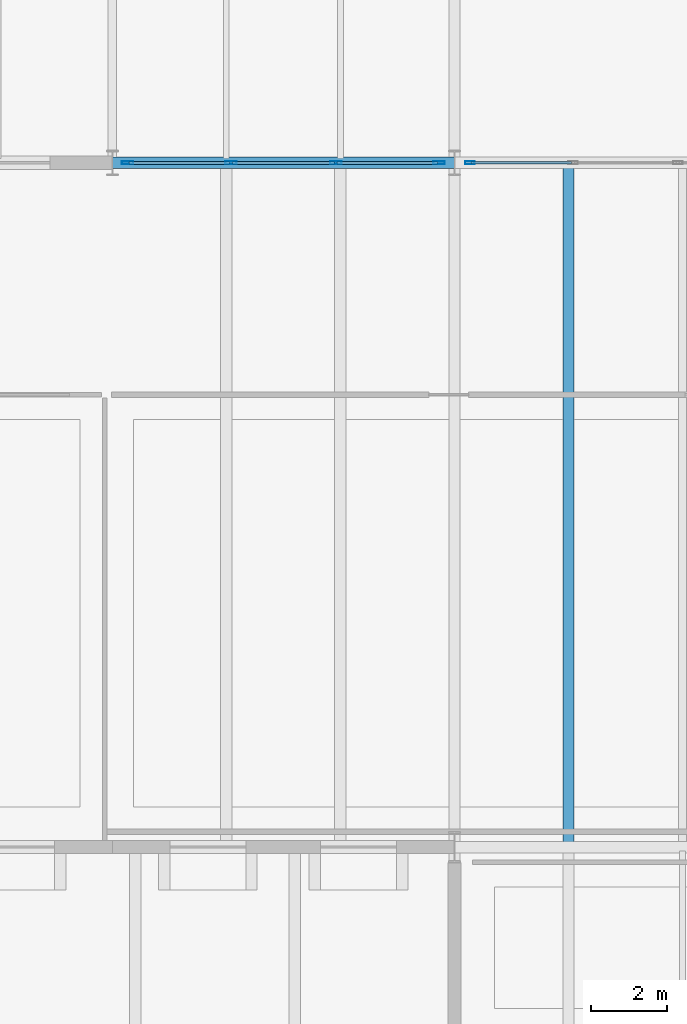
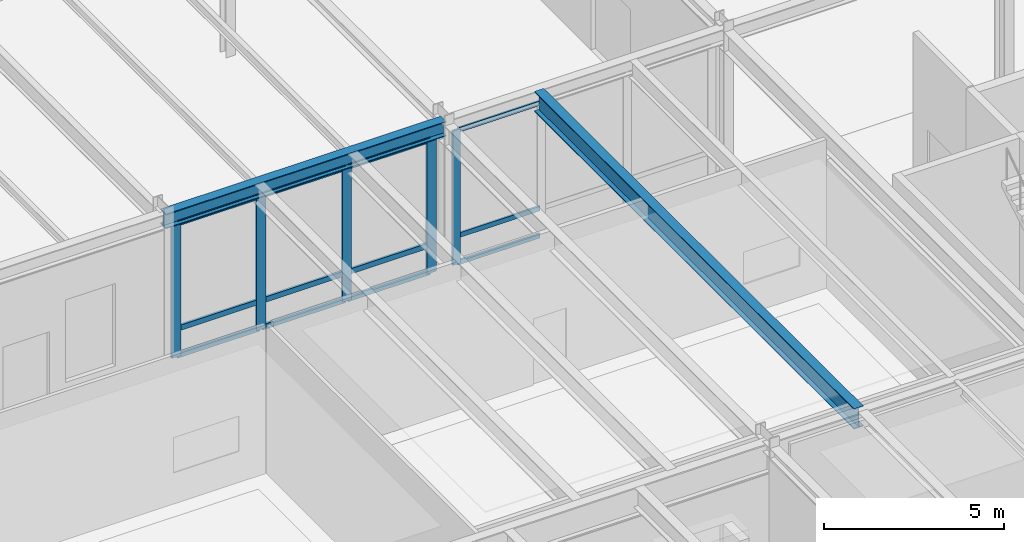
# One storey, part 25 of 143: 17 members, 2 beams, 2 elements without a shape of their own.
"""IFC4 building model written with IfcOpenShell, lengths in metres."""

from ifc_helpers import new_model, si_unit, direction, frame, origin, origin_2d, place, context, subcontext, project, spatial, hollow_rectangle, i_section, extrude, material, layer, layer_set, material_profile, profile_set, type_object, element, aggregate, save


model = new_model("IFC4")

# Units and contexts
model_context = context("Model", 3, precision=1e-05, world=origin(), true_north=direction((0.0, 1.0)))
body_context = subcontext(model_context, "Body", "Model", "MODEL_VIEW")
ifc_project = project(units=[si_unit("LENGTHUNIT", "METRE"), si_unit("AREAUNIT", "SQUARE_METRE"), si_unit("VOLUMEUNIT", "CUBIC_METRE"), si_unit("PLANEANGLEUNIT", "RADIAN"), si_unit("MASSUNIT", "GRAM", prefix="KILO")], contexts=[model_context])

# Site, building, storey
site_placement = place(None, origin())
site = spatial("IfcSite", under=ifc_project, at=site_placement, CompositionType="ELEMENT")
building_placement = place(site_placement, origin())
building = spatial("IfcBuilding", under=site, at=building_placement, Name="Montelvaro Courts of Justice", CompositionType="ELEMENT")
storey_placement = place(building_placement, origin())
storey = spatial("IfcBuildingStorey", under=building, at=storey_placement, Name="L00", CompositionType="ELEMENT", Elevation=0.0)

# Beams
ifc_material_1 = material(Name="Steel S355", Category="steel")
ifc_material_profile_1 = material_profile(ifc_material_1, i_section(OverallWidth=0.300048828125, OverallDepth=0.68994140625, WebThickness=0.014404296875, FlangeThickness=0.027099609375, at=origin_2d()), Name="HEA 700")
ifc_profile_set_1 = profile_set([ifc_material_profile_1], Name="Steel S355")
beam_type_1 = type_object("IfcBeamType", Name="Beam_HEA700", PredefinedType="USERDEFINED", material=ifc_profile_set_1)
beam_1_placement = place(storey_placement, frame((48.0, 24.110107421875, 4.715087890625), z_axis=(0.0, 1.0, 0.0), x_axis=(-1.0, 0.0, 0.0)))
element("IfcBeam", 1, at=beam_1_placement, inside=storey, type_object=beam_type_1, Name="Beam B-23 L00", ObjectType="GIRDER", PredefinedType="USERDEFINED", context=body_context, shape_type="SweptSolid", body=[
    extrude(i_section(OverallWidth=0.300048828125, OverallDepth=0.68994140625, WebThickness=0.014404296875, FlangeThickness=0.027099609375, at=origin_2d()), origin(), (0.0, 0.0, 1.0), 17.77978515625),
])
ifc_material_profile_2 = material_profile(ifc_material_1, i_section(OverallWidth=0.300048828125, OverallDepth=0.5, WebThickness=0.014404296875, FlangeThickness=0.028076171875, at=origin_2d()), Name="HEB 500")
ifc_profile_set_2 = profile_set([ifc_material_profile_2], Name="Steel S355")
beam_type_2 = type_object("IfcBeamType", Name="Beam_HEB500", PredefinedType="USERDEFINED", material=ifc_profile_set_2)
beam_2_placement = place(storey_placement, frame((36.0, 42.0, 4.81005859375), z_axis=(1.0, 0.0, 0.0), x_axis=(0.0, 1.0, 0.0)))
element("IfcBeam", 2, at=beam_2_placement, inside=storey, type_object=beam_type_2, Name="Beam B-25 L00", ObjectType="GIRDER", PredefinedType="USERDEFINED", context=body_context, shape_type="SweptSolid", body=[
    extrude(i_section(OverallWidth=0.300048828125, OverallDepth=0.5, WebThickness=0.014404296875, FlangeThickness=0.028076171875, at=origin_2d()), origin(), (0.0, 0.0, 1.0), 9.0),
])

# Curtain wall, member
ifc_material_2 = material(Name="Anodised aluminium EN AW-6063", Category="aluminium")
ifc_layer = layer(ifc_material_2, 0.159912109375)
ifc_layer_set = layer_set([ifc_layer], Name="Anodised aluminium EN AW-6063")
curtain_wall_type = type_object("IfcCurtainWallType", Name="CurtainWall_01_827x508", PredefinedType="USERDEFINED", material=ifc_layer_set)
curtain_wall_1_placement = place(storey_placement, origin())
curtain_wall_1 = element("IfcCurtainWall", 3, at=curtain_wall_1_placement, inside=storey, type_object=curtain_wall_type, Name="Curtain Wall CW-01 (L00)", ObjectType="CURTAIN WALL", PredefinedType="USERDEFINED")
ifc_material_profile_3 = material_profile(ifc_material_2, hollow_rectangle(XDim=0.074951171875, YDim=0.25, WallThickness=0.005615234375, at=origin_2d()), Name="ALU-M 75x250")
ifc_profile_set_3 = profile_set([ifc_material_profile_3], Name="Anodised aluminium EN AW-6063")
member_type_1 = type_object("IfcMemberType", Name="CurtainWall_Mullion_75x250", PredefinedType="MULLION", material=ifc_profile_set_3)
member_1_placement = place(storey_placement, frame((45.402587890625, 42.0, 0.0), z_axis=(0.0, 0.0, 1.0), x_axis=(0.0, -1.0, 0.0)))
member_1 = element("IfcMember", 4, at=member_1_placement, type_object=member_type_1, Name="CW-01 mullion 4", PredefinedType="MULLION", context=body_context, shape_type="SweptSolid", body=[
    extrude(hollow_rectangle(XDim=0.074951171875, YDim=0.25, WallThickness=0.005615234375, at=origin_2d()), origin(), (0.0, 0.0, 1.0), 4.554931640625),
])

# Curtain wall, members
curtain_wall_2_placement = place(storey_placement, origin())
curtain_wall_2 = element("IfcCurtainWall", 5, at=curtain_wall_2_placement, inside=storey, type_object=curtain_wall_type, Name="Curtain Wall CW-01 (L00)", ObjectType="CURTAIN WALL", PredefinedType="USERDEFINED")
ifc_material_profile_4 = material_profile(ifc_material_2, hollow_rectangle(XDim=0.074951171875, YDim=0.300048828125, WallThickness=0.006103515625, at=origin_2d()), Name="ALU-M 75x300")
ifc_profile_set_4 = profile_set([ifc_material_profile_4], Name="Anodised aluminium EN AW-6063")
member_type_2 = type_object("IfcMemberType", Name="CurtainWall_Mullion_75x300", PredefinedType="MULLION", material=ifc_profile_set_4)
member_2_placement = place(storey_placement, frame((44.597412109375, 42.0, 0.0), z_axis=(0.0, 0.0, 1.0), x_axis=(0.0, -1.0, 0.0)))
member_2 = element("IfcMember", 6, at=member_2_placement, type_object=member_type_2, Name="CW-01 mullion 1", PredefinedType="MULLION", context=body_context, shape_type="SweptSolid", body=[
    extrude(hollow_rectangle(XDim=0.074951171875, YDim=0.300048828125, WallThickness=0.006103515625, at=origin_2d()), origin(), (0.0, 0.0, 1.0), 4.554931640625),
])
member_3_placement = place(storey_placement, frame((41.87841796875, 42.0, 0.0), z_axis=(0.0, 0.0, 1.0), x_axis=(0.0, -1.0, 0.0)))
member_3 = element("IfcMember", 7, at=member_3_placement, type_object=member_type_2, Name="CW-01 mullion 2", PredefinedType="MULLION", context=body_context, shape_type="SweptSolid", body=[
    extrude(hollow_rectangle(XDim=0.074951171875, YDim=0.300048828125, WallThickness=0.006103515625, at=origin_2d()), origin(), (0.0, 0.0, 1.0), 4.554931640625),
])
member_4_placement = place(storey_placement, frame((39.12158203125, 42.0, 0.0), z_axis=(0.0, 0.0, 1.0), x_axis=(0.0, -1.0, 0.0)))
member_4 = element("IfcMember", 8, at=member_4_placement, type_object=member_type_2, Name="CW-01 mullion 3", PredefinedType="MULLION", context=body_context, shape_type="SweptSolid", body=[
    extrude(hollow_rectangle(XDim=0.074951171875, YDim=0.300048828125, WallThickness=0.006103515625, at=origin_2d()), origin(), (0.0, 0.0, 1.0), 4.554931640625),
])
member_5_placement = place(storey_placement, frame((36.402587890625, 42.0, 0.0), z_axis=(0.0, 0.0, 1.0), x_axis=(0.0, -1.0, 0.0)))
member_5 = element("IfcMember", 9, at=member_5_placement, type_object=member_type_2, Name="CW-01 mullion 4", PredefinedType="MULLION", context=body_context, shape_type="SweptSolid", body=[
    extrude(hollow_rectangle(XDim=0.074951171875, YDim=0.300048828125, WallThickness=0.006103515625, at=origin_2d()), origin(), (0.0, 0.0, 1.0), 4.554931640625),
])

# Member
ifc_material_profile_5 = material_profile(ifc_material_2, hollow_rectangle(XDim=0.06005859375, YDim=0.159912109375, WallThickness=0.00439453125, at=origin_2d()), Name="ALU-T 60x160")
ifc_profile_set_5 = profile_set([ifc_material_profile_5], Name="Anodised aluminium EN AW-6063")
member_type_3 = type_object("IfcMemberType", Name="CurtainWall_Transom_60x160", PredefinedType="USERDEFINED", material=ifc_profile_set_5)
member_6_placement = place(storey_placement, frame((48.084228515625, 42.0, 0.030029296875), z_axis=(-1.0, 0.0, 0.0), x_axis=(0.0, -1.0, 0.0)))
member_6 = element("IfcMember", 10, at=member_6_placement, type_object=member_type_3, Name="CW-01 transom 3.1", ObjectType="TRANSOM", PredefinedType="USERDEFINED", context=body_context, shape_type="SweptSolid", body=[
    extrude(hollow_rectangle(XDim=0.06005859375, YDim=0.159912109375, WallThickness=0.00439453125, at=origin_2d()), origin(), (0.0, 0.0, 1.0), 2.644287109375),
])

member_7_placement = place(storey_placement, frame((48.084228515625, 42.0, 0.949951171875), z_axis=(-1.0, 0.0, 0.0), x_axis=(0.0, -1.0, 0.0)))
member_7 = element("IfcMember", 11, at=member_7_placement, type_object=member_type_3, Name="CW-01 transom 3.2", ObjectType="TRANSOM", PredefinedType="USERDEFINED", context=body_context, shape_type="SweptSolid", body=[
    extrude(hollow_rectangle(XDim=0.06005859375, YDim=0.159912109375, WallThickness=0.00439453125, at=origin_2d()), origin(), (0.0, 0.0, 1.0), 2.644287109375),
])

member_8_placement = place(storey_placement, frame((48.084228515625, 42.0, 4.52490234375), z_axis=(-1.0, 0.0, 0.0), x_axis=(0.0, -1.0, 0.0)))
member_8 = element("IfcMember", 12, at=member_8_placement, type_object=member_type_3, Name="CW-01 transom 3.3", ObjectType="TRANSOM", PredefinedType="USERDEFINED", context=body_context, shape_type="SweptSolid", body=[
    extrude(hollow_rectangle(XDim=0.06005859375, YDim=0.159912109375, WallThickness=0.00439453125, at=origin_2d()), origin(), (0.0, 0.0, 1.0), 2.644287109375),
])

aggregate(curtain_wall_1, [member_1, member_6, member_7, member_8])

ifc_material_profile_6 = material_profile(ifc_material_2, hollow_rectangle(XDim=0.074951171875, YDim=0.179931640625, WallThickness=0.0048828125, at=origin_2d()), Name="ALU-T 75x180")
ifc_profile_set_6 = profile_set([ifc_material_profile_6], Name="Anodised aluminium EN AW-6063")
member_type_4 = type_object("IfcMemberType", Name="CurtainWall_Transom_75x180", PredefinedType="USERDEFINED", material=ifc_profile_set_6)
member_9_placement = place(storey_placement, frame((44.56005859375, 42.0, 0.03759765625), z_axis=(-1.0, 0.0, 0.0), x_axis=(0.0, -1.0, 0.0)))
member_9 = element("IfcMember", 13, at=member_9_placement, type_object=member_type_4, Name="CW-01 transom 1.1", ObjectType="TRANSOM", PredefinedType="USERDEFINED", context=body_context, shape_type="SweptSolid", body=[
    extrude(hollow_rectangle(XDim=0.074951171875, YDim=0.179931640625, WallThickness=0.0048828125, at=origin_2d()), origin(), (0.0, 0.0, 1.0), 2.644287109375),
])

member_10_placement = place(storey_placement, frame((44.56005859375, 42.0, 0.949951171875), z_axis=(-1.0, 0.0, 0.0), x_axis=(0.0, -1.0, 0.0)))
member_10 = element("IfcMember", 14, at=member_10_placement, type_object=member_type_4, Name="CW-01 transom 1.2", ObjectType="TRANSOM", PredefinedType="USERDEFINED", context=body_context, shape_type="SweptSolid", body=[
    extrude(hollow_rectangle(XDim=0.074951171875, YDim=0.179931640625, WallThickness=0.0048828125, at=origin_2d()), origin(), (0.0, 0.0, 1.0), 2.644287109375),
])

member_11_placement = place(storey_placement, frame((44.56005859375, 42.0, 4.517578125), z_axis=(-1.0, 0.0, 0.0), x_axis=(0.0, -1.0, 0.0)))
member_11 = element("IfcMember", 15, at=member_11_placement, type_object=member_type_4, Name="CW-01 transom 1.3", ObjectType="TRANSOM", PredefinedType="USERDEFINED", context=body_context, shape_type="SweptSolid", body=[
    extrude(hollow_rectangle(XDim=0.074951171875, YDim=0.179931640625, WallThickness=0.0048828125, at=origin_2d()), origin(), (0.0, 0.0, 1.0), 2.644287109375),
])

member_12_placement = place(storey_placement, frame((41.8408203125, 42.0, 0.03759765625), z_axis=(-1.0, 0.0, 0.0), x_axis=(0.0, -1.0, 0.0)))
member_12 = element("IfcMember", 16, at=member_12_placement, type_object=member_type_4, Name="CW-01 transom 2.1", ObjectType="TRANSOM", PredefinedType="USERDEFINED", context=body_context, shape_type="SweptSolid", body=[
    extrude(hollow_rectangle(XDim=0.074951171875, YDim=0.179931640625, WallThickness=0.0048828125, at=origin_2d()), origin(), (0.0, 0.0, 1.0), 2.681640625),
])

member_13_placement = place(storey_placement, frame((41.8408203125, 42.0, 0.949951171875), z_axis=(-1.0, 0.0, 0.0), x_axis=(0.0, -1.0, 0.0)))
member_13 = element("IfcMember", 17, at=member_13_placement, type_object=member_type_4, Name="CW-01 transom 2.2", ObjectType="TRANSOM", PredefinedType="USERDEFINED", context=body_context, shape_type="SweptSolid", body=[
    extrude(hollow_rectangle(XDim=0.074951171875, YDim=0.179931640625, WallThickness=0.0048828125, at=origin_2d()), origin(), (0.0, 0.0, 1.0), 2.681640625),
])

member_14_placement = place(storey_placement, frame((41.8408203125, 42.0, 4.517578125), z_axis=(-1.0, 0.0, 0.0), x_axis=(0.0, -1.0, 0.0)))
member_14 = element("IfcMember", 18, at=member_14_placement, type_object=member_type_4, Name="CW-01 transom 2.3", ObjectType="TRANSOM", PredefinedType="USERDEFINED", context=body_context, shape_type="SweptSolid", body=[
    extrude(hollow_rectangle(XDim=0.074951171875, YDim=0.179931640625, WallThickness=0.0048828125, at=origin_2d()), origin(), (0.0, 0.0, 1.0), 2.681640625),
])

member_15_placement = place(storey_placement, frame((39.084228515625, 42.0, 0.03759765625), z_axis=(-1.0, 0.0, 0.0), x_axis=(0.0, -1.0, 0.0)))
member_15 = element("IfcMember", 19, at=member_15_placement, type_object=member_type_4, Name="CW-01 transom 3.1", ObjectType="TRANSOM", PredefinedType="USERDEFINED", context=body_context, shape_type="SweptSolid", body=[
    extrude(hollow_rectangle(XDim=0.074951171875, YDim=0.179931640625, WallThickness=0.0048828125, at=origin_2d()), origin(), (0.0, 0.0, 1.0), 2.644287109375),
])

member_16_placement = place(storey_placement, frame((39.084228515625, 42.0, 0.949951171875), z_axis=(-1.0, 0.0, 0.0), x_axis=(0.0, -1.0, 0.0)))
member_16 = element("IfcMember", 20, at=member_16_placement, type_object=member_type_4, Name="CW-01 transom 3.2", ObjectType="TRANSOM", PredefinedType="USERDEFINED", context=body_context, shape_type="SweptSolid", body=[
    extrude(hollow_rectangle(XDim=0.074951171875, YDim=0.179931640625, WallThickness=0.0048828125, at=origin_2d()), origin(), (0.0, 0.0, 1.0), 2.644287109375),
])

member_17_placement = place(storey_placement, frame((39.084228515625, 42.0, 4.517578125), z_axis=(-1.0, 0.0, 0.0), x_axis=(0.0, -1.0, 0.0)))
member_17 = element("IfcMember", 21, at=member_17_placement, type_object=member_type_4, Name="CW-01 transom 3.3", ObjectType="TRANSOM", PredefinedType="USERDEFINED", context=body_context, shape_type="SweptSolid", body=[
    extrude(hollow_rectangle(XDim=0.074951171875, YDim=0.179931640625, WallThickness=0.0048828125, at=origin_2d()), origin(), (0.0, 0.0, 1.0), 2.644287109375),
])

aggregate(curtain_wall_2, [member_2, member_3, member_4, member_5, member_9, member_10, member_11, member_12, member_13, member_14, member_15, member_16, member_17])

save(model, "model.ifc")
